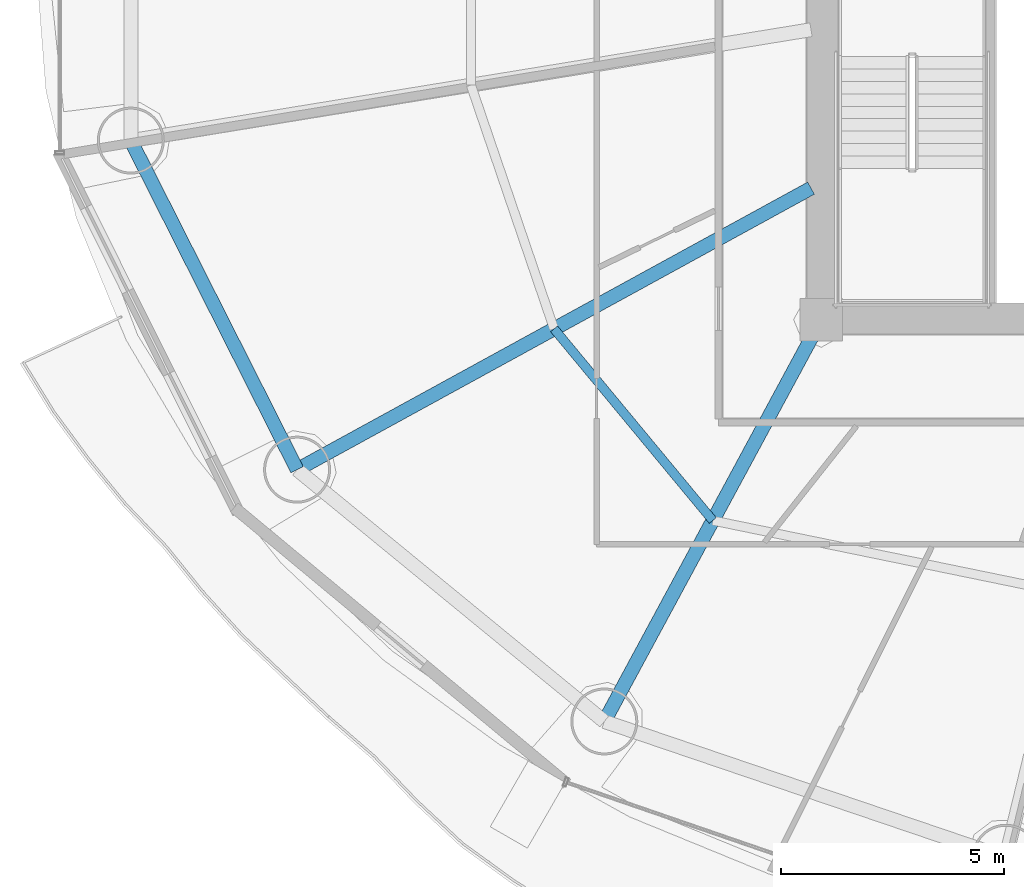
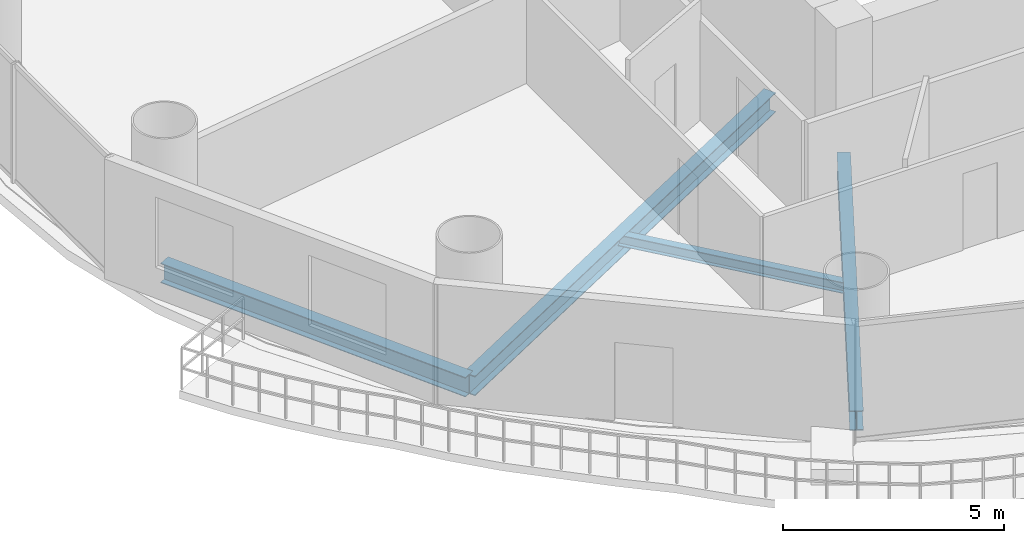
# One storey, part 3 of 29: 4 beams.
"""IFC4 building model written with IfcOpenShell, lengths in metres."""

from ifc_helpers import new_model, si_unit, direction, frame, origin, origin_2d, place, context, subcontext, project, spatial, i_section, extrude, material, material_profile, profile_set, type_object, element, save


model = new_model("IFC4")

# Units and contexts
model_context = context("Model", 3, precision=1e-05, world=origin(), true_north=direction((-0.2419218956, 0.970295726276)))
body_context = subcontext(model_context, "Body", "Model", "MODEL_VIEW")
ifc_project = project(units=[si_unit("LENGTHUNIT", "METRE"), si_unit("AREAUNIT", "SQUARE_METRE"), si_unit("VOLUMEUNIT", "CUBIC_METRE"), si_unit("PLANEANGLEUNIT", "RADIAN"), si_unit("MASSUNIT", "GRAM", prefix="KILO")], contexts=[model_context])

# Site, building, storey
site_placement = place(None, origin())
site = spatial("IfcSite", under=ifc_project, at=site_placement, CompositionType="ELEMENT")
building_placement = place(site_placement, origin())
building = spatial("IfcBuilding", under=site, at=building_placement, Name="Cobrevalo Terracotta Tower", CompositionType="ELEMENT")
storey_placement = place(building_placement, frame((0.0, 0.0, 87.0)))
storey = spatial("IfcBuildingStorey", under=building, at=storey_placement, Name="L22", CompositionType="ELEMENT", Elevation=87.0)

# Beams
ifc_material = material(Name="Steel S355", Category="steel")
ifc_material_profile_1 = material_profile(ifc_material, i_section(OverallWidth=0.31201171875, OverallDepth=0.54296875, WebThickness=0.0126953125, FlangeThickness=0.020263671875, at=origin_2d()), Name="W 530x150")
ifc_profile_set_1 = profile_set([ifc_material_profile_1], Name="Steel S355")
beam_type_1 = type_object("IfcBeamType", Name="Structural Beam W 530x150 (Steel S355)", PredefinedType="BEAM", material=ifc_profile_set_1)
beam_1_placement = place(storey_placement, frame((17.2548828125, 15.4384765625, -0.54638671875), z_axis=(0.877072765004, 0.480357538599, 0.0), x_axis=(-0.480357538599, 0.877072765004, 0.0)))
element("IfcBeam", 1, at=beam_1_placement, inside=storey, type_object=beam_type_1, Name="L22 radial floor girder 10", PredefinedType="BEAM", context=body_context, shape_type="SweptSolid", body=[
    extrude(i_section(OverallWidth=0.31201171875, OverallDepth=0.54296875, WebThickness=0.0126953125, FlangeThickness=0.020263671875, at=origin_2d()), origin(), (0.0, 0.0, 1.0), 13.129150390625),
])
beam_2_placement = place(storey_placement, frame((24.138427734375, 9.79638671875, -0.54638671875), z_axis=(0.475118249298, 0.879921956303, 0.0), x_axis=(-0.879921956303, 0.475118249298, 0.0)))
element("IfcBeam", 2, at=beam_2_placement, inside=storey, type_object=beam_type_1, Name="L22 radial floor girder 11", PredefinedType="BEAM", context=body_context, shape_type="SweptSolid", body=[
    extrude(i_section(OverallWidth=0.31201171875, OverallDepth=0.54296875, WebThickness=0.0126953125, FlangeThickness=0.020263671875, at=origin_2d()), origin(), (0.0, 0.0, 1.0), 10.232421875),
])
ifc_material_profile_2 = material_profile(ifc_material, i_section(OverallWidth=0.2041015625, OverallDepth=0.305908203125, WebThickness=0.008544921875, FlangeThickness=0.0146484375, at=origin_2d()), Name="W 310x67")
ifc_profile_set_2 = profile_set([ifc_material_profile_2], Name="Steel S355")
beam_type_2 = type_object("IfcBeamType", Name="Structural Joist W 310x67 (Steel S355)", PredefinedType="JOIST", material=ifc_profile_set_2)
beam_3_placement = place(storey_placement, frame((23.012451171875, 18.591796875, -0.427978515625), z_axis=(0.6379592588, -0.77007011636, 0.0), x_axis=(0.77007011636, 0.6379592588, 0.0)))
element("IfcBeam", 3, at=beam_3_placement, inside=storey, type_object=beam_type_2, Name="L22 circumferential secondary floor joist 10", PredefinedType="JOIST", context=body_context, shape_type="SweptSolid", body=[
    extrude(i_section(OverallWidth=0.2041015625, OverallDepth=0.305908203125, WebThickness=0.008544921875, FlangeThickness=0.0146484375, at=origin_2d()), origin(), (0.0, 0.0, 1.0), 5.575439453125),
])
ifc_material_profile_3 = material_profile(ifc_material, i_section(OverallWidth=0.31201171875, OverallDepth=0.54296875, WebThickness=0.0126953125, FlangeThickness=0.020263671875, at=origin_2d()), Name="W 530x150")
ifc_profile_set_3 = profile_set([ifc_material_profile_3], Name="Steel S355")
beam_type_3 = type_object("IfcBeamType", Name="Structural Spandrel W 530x150 (Steel S355)", PredefinedType="SPANDREL", material=ifc_profile_set_3)
beam_4_placement = place(storey_placement, frame((13.529296875, 22.810302734375, -0.54638671875), z_axis=(0.451051982172, -0.892497680321, 0.0), x_axis=(0.892497680321, 0.451051982172, 0.0)))
element("IfcBeam", 4, at=beam_4_placement, inside=storey, type_object=beam_type_3, Name="L22 perimeter ring spandrel 09", PredefinedType="SPANDREL", context=body_context, shape_type="SweptSolid", body=[
    extrude(i_section(OverallWidth=0.31201171875, OverallDepth=0.54296875, WebThickness=0.0126953125, FlangeThickness=0.020263671875, at=origin_2d()), origin(), (0.0, 0.0, 1.0), 8.259765625),
])

save(model, "model.ifc")
